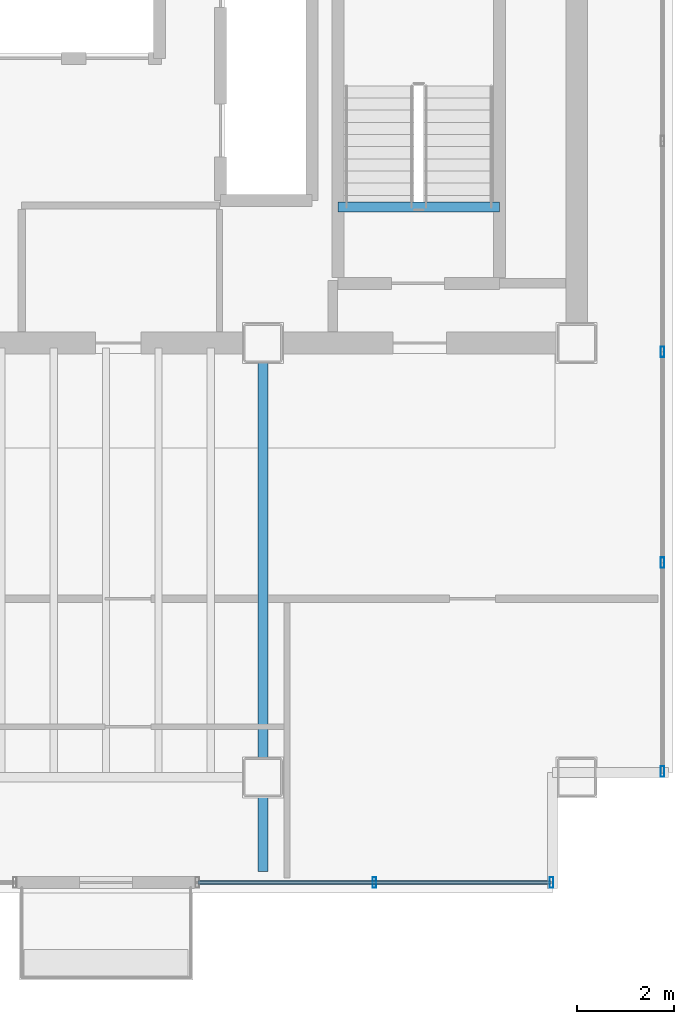
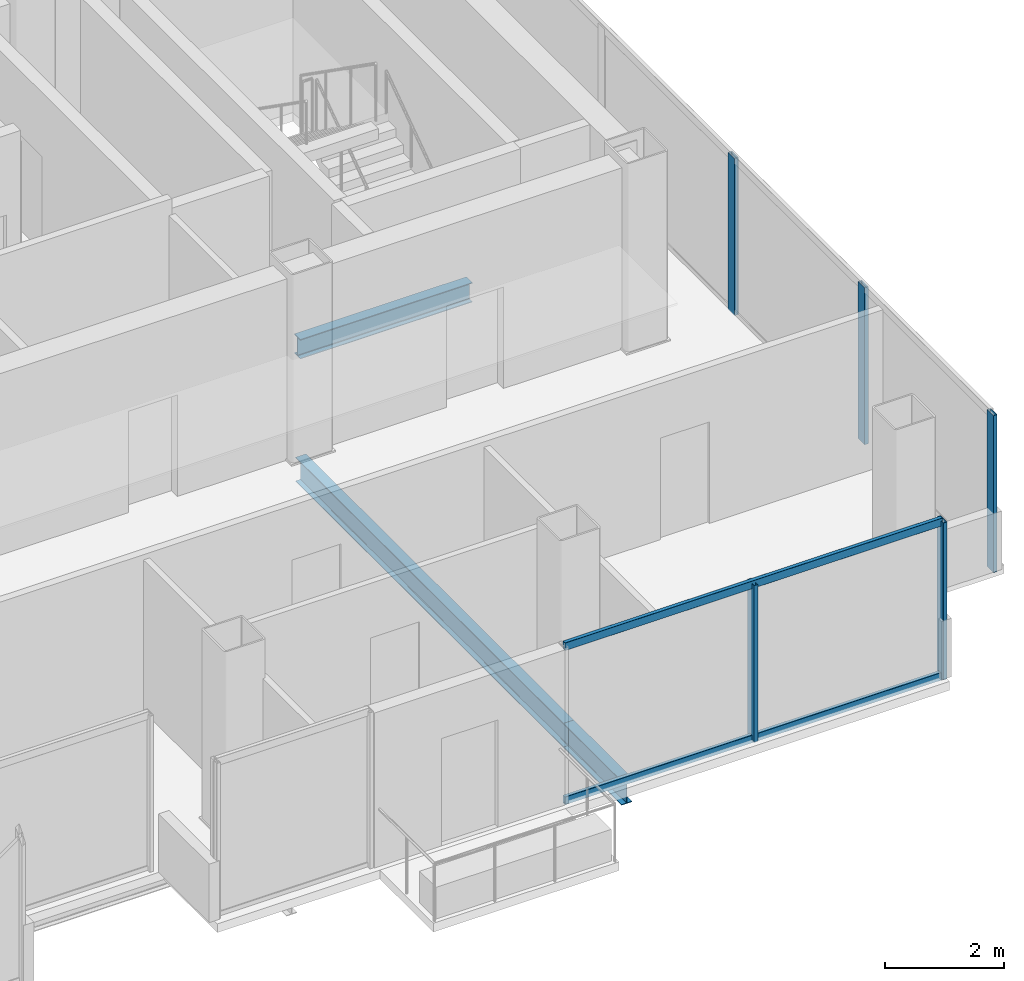
# One storey, part 11 of 17: 7 members, 3 beams, 2 elements without a shape of their own.
"""IFC4 building model written with IfcOpenShell, lengths in metres."""

from ifc_helpers import new_model, si_unit, direction, frame, origin, origin_2d, place, context, subcontext, project, spatial, hollow_rectangle, i_section, extrude, material, material_profile, profile_set, type_object, element, aggregate, save


model = new_model("IFC4")

# Units and contexts
model_context = context("Model", 3, precision=1e-05, world=origin(), true_north=direction((0.0, 1.0)))
body_context = subcontext(model_context, "Body", "Model", "MODEL_VIEW")
ifc_project = project(units=[si_unit("LENGTHUNIT", "METRE"), si_unit("AREAUNIT", "SQUARE_METRE"), si_unit("VOLUMEUNIT", "CUBIC_METRE"), si_unit("PLANEANGLEUNIT", "RADIAN"), si_unit("MASSUNIT", "GRAM", prefix="KILO")], contexts=[model_context])

# Site, building, storey
site_placement = place(None, origin())
site = spatial("IfcSite", under=ifc_project, at=site_placement, CompositionType="ELEMENT")
building_placement = place(site_placement, origin())
building = spatial("IfcBuilding", under=site, at=building_placement, Name="Noeulbin Bourse Tower", CompositionType="ELEMENT")
storey_placement = place(building_placement, frame((0.0, 0.0, 265.699951171875)))
storey = spatial("IfcBuildingStorey", under=building, at=storey_placement, Name="L66", CompositionType="ELEMENT", Elevation=265.699951171875)

# Beams
ifc_material_1 = material(Name="Steel S355", Category="steel")
ifc_material_profile_1 = material_profile(ifc_material_1, i_section(OverallWidth=0.199951171875, OverallDepth=0.5, WebThickness=0.010009765625, FlangeThickness=0.01611328125, FilletRadius=0.02001953125, at=origin_2d()), Name="H-500x200x10x16", Category="LoadBearing")
ifc_profile_set_1 = profile_set([ifc_material_profile_1], Name="Steel S355")
beam_type_1 = type_object("IfcBeamType", Name="BM-GRD-500", PredefinedType="USERDEFINED", material=ifc_profile_set_1)
beam_1_placement = place(storey_placement, frame((37.5, 18.050048828125, -0.429931640625), z_axis=(0.0, 1.0, 0.0), x_axis=(-1.0, 0.0, 0.0)))
element("IfcBeam", 1, at=beam_1_placement, inside=storey, type_object=beam_type_1, Name="Tower Primary Girder NS L66-4.1", ObjectType="GIRDER", PredefinedType="USERDEFINED", context=body_context, shape_type="SweptSolid", body=[
    extrude(i_section(OverallWidth=0.199951171875, OverallDepth=0.5, WebThickness=0.010009765625, FlangeThickness=0.01611328125, FilletRadius=0.02001953125, at=origin_2d()), origin(), (0.0, 0.0, 1.0), 1.949951171875),
])
beam_2_placement = place(storey_placement, frame((37.5, 20.0, -0.429931640625), z_axis=(0.0, 1.0, 0.0), x_axis=(-1.0, 0.0, 0.0)))
element("IfcBeam", 2, at=beam_2_placement, inside=storey, type_object=beam_type_1, Name="Tower Primary Girder NS L66-4.2", ObjectType="GIRDER", PredefinedType="USERDEFINED", context=body_context, shape_type="SweptSolid", body=[
    extrude(i_section(OverallWidth=0.199951171875, OverallDepth=0.5, WebThickness=0.010009765625, FlangeThickness=0.01611328125, FilletRadius=0.02001953125, at=origin_2d()), origin(), (0.0, 0.0, 1.0), 9.0),
])
ifc_material_profile_2 = material_profile(ifc_material_1, i_section(OverallWidth=0.199951171875, OverallDepth=0.39990234375, WebThickness=0.008056640625, FlangeThickness=0.012939453125, FilletRadius=0.01611328125, at=origin_2d()), Name="H-400x200x8x13", Category="LoadBearing")
ifc_profile_set_2 = profile_set([ifc_material_profile_2], Name="Steel S355")
beam_type_2 = type_object("IfcBeamType", Name="BM-SEC-400", PredefinedType="BEAM", material=ifc_profile_set_2)
beam_3_placement = place(storey_placement, frame((39.06005859375, 31.820068359375, -0.199951171875), z_axis=(1.0, 0.0, 0.0), x_axis=(0.0, 1.0, 0.0)))
element("IfcBeam", 3, at=beam_3_placement, inside=storey, type_object=beam_type_2, Name="Stair Threshold Trimmer Beam ST2-L66", PredefinedType="BEAM", context=body_context, shape_type="SweptSolid", body=[
    extrude(i_section(OverallWidth=0.199951171875, OverallDepth=0.39990234375, WebThickness=0.008056640625, FlangeThickness=0.012939453125, FilletRadius=0.01611328125, at=origin_2d()), origin(), (0.0, 0.0, 1.0), 3.33984375),
])

# Curtain wall, members
ifc_material_2 = material(Name="High-Selectivity Low-Iron Glazing", Category="glass")
curtain_wall_type = type_object("IfcCurtainWallType", Name="CW-SYS-4", PredefinedType="NOTDEFINED", material=ifc_material_2)
curtain_wall_1_placement = place(storey_placement, origin())
curtain_wall_1 = element("IfcCurtainWall", 4, at=curtain_wall_1_placement, inside=storey, type_object=curtain_wall_type, Name="Unitised Curtain Wall CW-L66-S3", PredefinedType="NOTDEFINED")
ifc_material_3 = material(Name="Anodised Aluminium 6063-T6", Category="aluminium")
ifc_material_profile_3 = material_profile(ifc_material_3, hollow_rectangle(XDim=0.074951171875, YDim=0.219970703125, WallThickness=0.0048828125, InnerFilletRadius=0.00244140625, OuterFilletRadius=0.0048828125, at=origin_2d()), Name="ALU-MULL-75x220x5", Category="LoadBearing")
ifc_profile_set_3 = profile_set([ifc_material_profile_3], Name="Anodised Aluminium 6063-T6")
member_type_1 = type_object("IfcMemberType", Name="CW-SYS-4-MUL", PredefinedType="MULLION", material=ifc_profile_set_3)
member_1_placement = place(storey_placement, frame((39.81005859375, 17.820068359375, -0.02001953125), z_axis=(0.0, 0.0, 1.0), x_axis=(1.0, 0.0, 0.0)))
member_1 = element("IfcMember", 5, at=member_1_placement, type_object=member_type_1, Name="Curtain Wall Mullion CW-L66-S3-M01", PredefinedType="MULLION", context=body_context, shape_type="SweptSolid", body=[
    extrude(hollow_rectangle(XDim=0.074951171875, YDim=0.219970703125, WallThickness=0.0048828125, InnerFilletRadius=0.00244140625, OuterFilletRadius=0.0048828125, at=origin_2d()), origin(), (0.0, 0.0, 1.0), 3.219970703125),
])
member_2_placement = place(storey_placement, frame((43.47998046875, 17.820068359375, -0.02001953125), z_axis=(0.0, 0.0, 1.0), x_axis=(1.0, 0.0, 0.0)))
member_2 = element("IfcMember", 6, at=member_2_placement, type_object=member_type_1, Name="Curtain Wall Mullion CW-L66-S3-M02", PredefinedType="MULLION", context=body_context, shape_type="SweptSolid", body=[
    extrude(hollow_rectangle(XDim=0.074951171875, YDim=0.219970703125, WallThickness=0.0048828125, InnerFilletRadius=0.00244140625, OuterFilletRadius=0.0048828125, at=origin_2d()), origin(), (0.0, 0.0, 1.0), 3.219970703125),
])

curtain_wall_2_placement = place(storey_placement, origin())
curtain_wall_2 = element("IfcCurtainWall", 7, at=curtain_wall_2_placement, inside=storey, type_object=curtain_wall_type, Name="Unitised Curtain Wall CW-L66-E", PredefinedType="NOTDEFINED")
member_3_placement = place(storey_placement, frame((45.780029296875, 20.1201171875, -0.02001953125), z_axis=(0.0, 0.0, 1.0), x_axis=(1.0, 0.0, 0.0)))
member_3 = element("IfcMember", 8, at=member_3_placement, type_object=member_type_1, Name="Curtain Wall Mullion CW-L66-E-M00", PredefinedType="MULLION", context=body_context, shape_type="SweptSolid", body=[
    extrude(hollow_rectangle(XDim=0.074951171875, YDim=0.219970703125, WallThickness=0.0048828125, InnerFilletRadius=0.00244140625, OuterFilletRadius=0.0048828125, at=origin_2d()), origin(), (0.0, 0.0, 1.0), 3.219970703125),
])
member_4_placement = place(storey_placement, frame((45.780029296875, 24.447998046875, -0.02001953125), z_axis=(0.0, 0.0, 1.0), x_axis=(1.0, 0.0, 0.0)))
member_4 = element("IfcMember", 9, at=member_4_placement, type_object=member_type_1, Name="Curtain Wall Mullion CW-L66-E-M01", PredefinedType="MULLION", context=body_context, shape_type="SweptSolid", body=[
    extrude(hollow_rectangle(XDim=0.074951171875, YDim=0.219970703125, WallThickness=0.0048828125, InnerFilletRadius=0.00244140625, OuterFilletRadius=0.0048828125, at=origin_2d()), origin(), (0.0, 0.0, 1.0), 3.219970703125),
])
member_5_placement = place(storey_placement, frame((45.780029296875, 28.81591796875, -0.02001953125), z_axis=(0.0, 0.0, 1.0), x_axis=(1.0, 0.0, 0.0)))
member_5 = element("IfcMember", 10, at=member_5_placement, type_object=member_type_1, Name="Curtain Wall Mullion CW-L66-E-M02", PredefinedType="MULLION", context=body_context, shape_type="SweptSolid", body=[
    extrude(hollow_rectangle(XDim=0.074951171875, YDim=0.219970703125, WallThickness=0.0048828125, InnerFilletRadius=0.00244140625, OuterFilletRadius=0.0048828125, at=origin_2d()), origin(), (0.0, 0.0, 1.0), 3.219970703125),
])
aggregate(curtain_wall_2, [member_3, member_4, member_5])

# Member
ifc_material_profile_4 = material_profile(ifc_material_3, hollow_rectangle(XDim=0.074951171875, YDim=0.159912109375, WallThickness=0.0048828125, InnerFilletRadius=0.00244140625, OuterFilletRadius=0.0048828125, at=origin_2d()), Name="ALU-TRAN-75x160x5", Category="LoadBearing")
ifc_profile_set_4 = profile_set([ifc_material_profile_4], Name="Anodised Aluminium 6063-T6")
member_type_2 = type_object("IfcMemberType", Name="CW-SYS-4-TRN", PredefinedType="USERDEFINED", material=ifc_profile_set_4)
member_6_placement = place(storey_placement, frame((36.14990234375, 17.820068359375, 0.010009765625), z_axis=(1.0, 0.0, 0.0), x_axis=(0.0, 1.0, 0.0)))
member_6 = element("IfcMember", 11, at=member_6_placement, type_object=member_type_2, Name="Curtain Wall Transom CW-L66-S3-T00", ObjectType="TRANSOM", PredefinedType="USERDEFINED", context=body_context, shape_type="SweptSolid", body=[
    extrude(hollow_rectangle(XDim=0.074951171875, YDim=0.159912109375, WallThickness=0.0048828125, InnerFilletRadius=0.00244140625, OuterFilletRadius=0.0048828125, at=origin_2d()), origin(), (0.0, 0.0, 1.0), 7.320068359375),
])

member_7_placement = place(storey_placement, frame((36.14990234375, 17.820068359375, 3.170166015625), z_axis=(1.0, 0.0, 0.0), x_axis=(0.0, 1.0, 0.0)))
member_7 = element("IfcMember", 12, at=member_7_placement, type_object=member_type_2, Name="Curtain Wall Transom CW-L66-S3-T01", ObjectType="TRANSOM", PredefinedType="USERDEFINED", context=body_context, shape_type="SweptSolid", body=[
    extrude(hollow_rectangle(XDim=0.074951171875, YDim=0.159912109375, WallThickness=0.0048828125, InnerFilletRadius=0.00244140625, OuterFilletRadius=0.0048828125, at=origin_2d()), origin(), (0.0, 0.0, 1.0), 7.320068359375),
])

aggregate(curtain_wall_1, [member_1, member_2, member_6, member_7])

save(model, "model.ifc")
